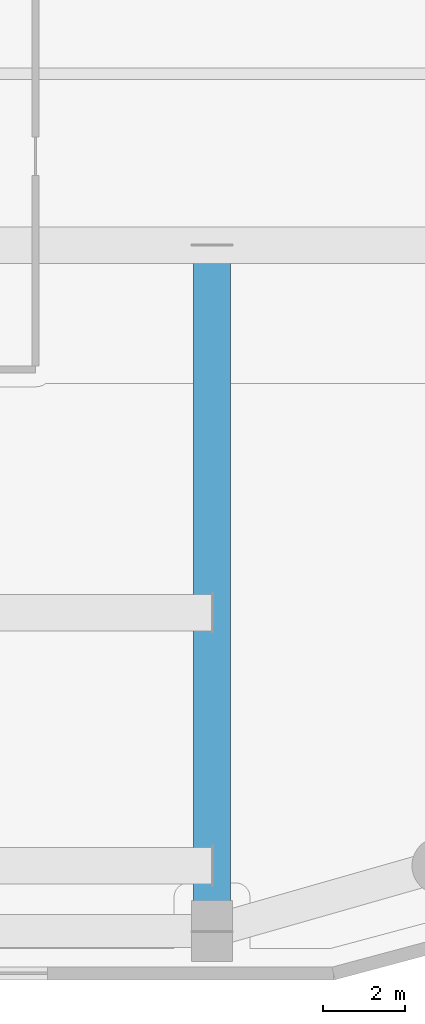
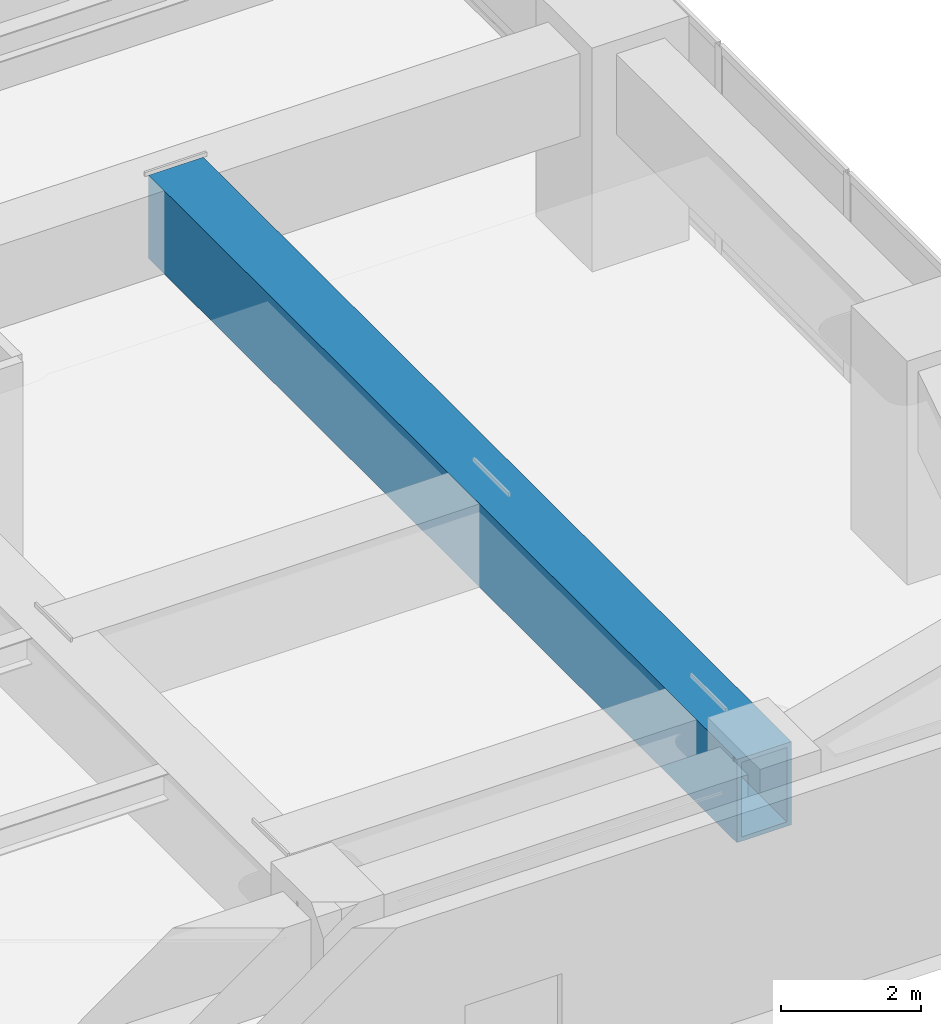
# One storey, part 5 of 28: 1 beam.
"""IFC4 building model written with IfcOpenShell, lengths in metres."""

from ifc_helpers import new_model, si_unit, direction, frame, origin, origin_2d, place, context, subcontext, project, spatial, hollow_rectangle, extrude, material, material_profile, profile_set, type_object, element, save


model = new_model("IFC4")

# Units and contexts
model_context = context("Model", 3, precision=1e-05, world=origin(), true_north=direction((0.0, 1.0)))
body_context = subcontext(model_context, "Body", "Model", "MODEL_VIEW")
ifc_project = project(units=[si_unit("LENGTHUNIT", "METRE"), si_unit("AREAUNIT", "SQUARE_METRE"), si_unit("VOLUMEUNIT", "CUBIC_METRE"), si_unit("PLANEANGLEUNIT", "RADIAN"), si_unit("MASSUNIT", "GRAM", prefix="KILO")], contexts=[model_context])

# Site, building, storey
site_placement = place(None, origin())
site = spatial("IfcSite", under=ifc_project, at=site_placement, CompositionType="ELEMENT")
building_placement = place(site_placement, origin())
building = spatial("IfcBuilding", under=site, at=building_placement, Name="Kiyonajd Concourse Tower", CompositionType="ELEMENT")
storey_placement = place(building_placement, frame((0.0, 0.0, 76.800048828125)))
storey = spatial("IfcBuildingStorey", under=building, at=storey_placement, Name="L20", CompositionType="ELEMENT", Elevation=76.800048828125)

# Beam
ifc_material = material(Name="Steel ASTM A572 Grade 50", Category="steel")
ifc_material_profile = material_profile(ifc_material, hollow_rectangle(XDim=0.89990234375, YDim=1.449951171875, WallThickness=0.074951171875, at=origin_2d()), Name="BOX-1450x900x75")
ifc_profile_set = profile_set([ifc_material_profile], Name="Steel ASTM A572 Grade 50")
beam_type = type_object("IfcBeamType", Name="BM-XFER-1800", PredefinedType="BEAM", material=ifc_profile_set)
beam_placement = place(storey_placement, frame((70.800048828125, 10.800048828125, 2.875), z_axis=(0.0, 1.0, 0.0), x_axis=(-1.0, 0.0, 0.0)))
element("IfcBeam", 1, at=beam_placement, inside=storey, type_object=beam_type, Name="L20 South Lease Girder", PredefinedType="BEAM", context=body_context, shape_type="SweptSolid", body=[
    extrude(hollow_rectangle(XDim=0.89990234375, YDim=1.449951171875, WallThickness=0.074951171875, at=origin_2d()), origin(), (0.0, 0.0, 1.0), 16.800048828125),
])

save(model, "model.ifc")
